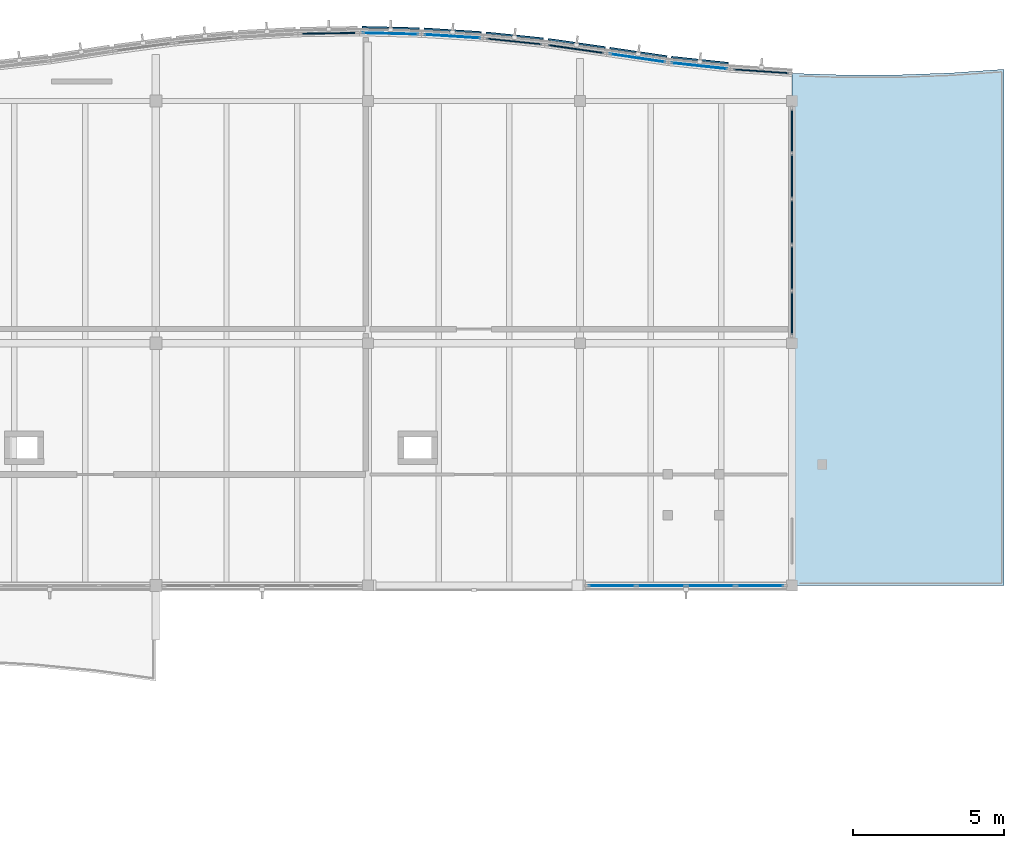
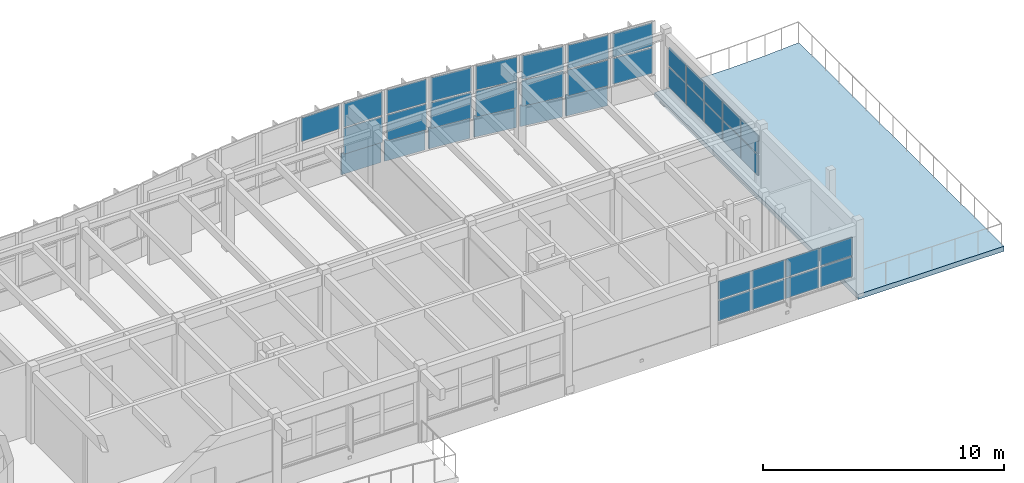
# One storey, part 36 of 63: 39 plates, 1 slab, 10 elements without a shape of their own.
"""IFC4 building model written with IfcOpenShell, lengths in metres."""

from ifc_helpers import new_model, si_unit, direction, frame, origin, origin_2d, place, context, subcontext, project, spatial, polyline, rectangle, outline, extrude, material, layer, layer_set, type_object, element, aggregate, save


model = new_model("IFC4")

# Units and contexts
model_context = context("Model", 3, precision=1e-05, world=origin(), true_north=direction((0.0, 1.0)))
body_context = subcontext(model_context, "Body", "Model", "MODEL_VIEW")
ifc_project = project(units=[si_unit("LENGTHUNIT", "METRE"), si_unit("AREAUNIT", "SQUARE_METRE"), si_unit("VOLUMEUNIT", "CUBIC_METRE"), si_unit("PLANEANGLEUNIT", "RADIAN"), si_unit("MASSUNIT", "GRAM", prefix="KILO")], contexts=[model_context])

# Site, building, storey
site_placement = place(None, origin())
site = spatial("IfcSite", under=ifc_project, at=site_placement, CompositionType="ELEMENT")
building_placement = place(site_placement, origin())
building = spatial("IfcBuilding", under=site, at=building_placement, Name="Tonlespit Floodbar School", CompositionType="ELEMENT")
storey_placement = place(building_placement, frame((0.0, 0.0, 8.39990234375)))
storey = spatial("IfcBuildingStorey", under=building, at=storey_placement, Name="L02", CompositionType="ELEMENT", Elevation=8.39990234375)

# Curtain wall, plates
ifc_material_1 = material(Name="Anodised Aluminium", Category="aluminium")
ifc_layer_1 = layer(ifc_material_1, 0.159912109375)
ifc_layer_set_1 = layer_set([ifc_layer_1], Name="Anodised Aluminium")
curtain_wall_type_1 = type_object("IfcCurtainWallType", Name="CurtainWall_1950x2700", PredefinedType="NOTDEFINED", material=ifc_layer_set_1)
curtain_wall_1_placement = place(storey_placement, origin())
curtain_wall_1 = element("IfcCurtainWall", 1, at=curtain_wall_1_placement, inside=storey, type_object=curtain_wall_type_1, Name="L02 unitised curtain wall 0433", PredefinedType="NOTDEFINED")
ifc_material_2 = material(Name="Laminated Low-E Glass", Category="glass")
ifc_layer_2 = layer(ifc_material_2, 0.028076171875)
ifc_layer_set_2 = layer_set([ifc_layer_2], Name="Laminated Low-E Glass")
plate_type_1 = type_object("IfcPlateType", Name="CW_Panel_Glaz_28", PredefinedType="CURTAIN_PANEL", material=ifc_layer_set_2)
plate_1_placement = place(storey_placement, frame((155.75, 122.224365234375, 1.01513671875), z_axis=(0.0, 0.0, 1.0), x_axis=(0.999712143947, -0.023992274692, 0.0)))
plate_1 = element("IfcPlate", 2, at=plate_1_placement, type_object=plate_type_1, Name="CW-04 panel 1.1", PredefinedType="CURTAIN_PANEL", context=body_context, shape_type="SweptSolid", body=[
    extrude(rectangle(XDim=1.828857421875, YDim=0.028076171875, at=origin_2d()), origin(), (0.0, 0.0, 1.0), 1.306396484375),
])
plate_2_placement = place(storey_placement, frame((155.75, 122.224365234375, 2.38671875), z_axis=(0.0, 0.0, 1.0), x_axis=(0.999712143947, -0.023992274692, 0.0)))
plate_2 = element("IfcPlate", 3, at=plate_2_placement, type_object=plate_type_1, Name="CW-04 panel 1.2", PredefinedType="CURTAIN_PANEL", context=body_context, shape_type="SweptSolid", body=[
    extrude(rectangle(XDim=1.828857421875, YDim=0.028076171875, at=origin_2d()), origin(), (0.0, 0.0, 1.0), 1.198486328125),
])
aggregate(curtain_wall_1, [plate_1, plate_2])

ifc_layer_3 = layer(ifc_material_1, 0.159912109375)
ifc_layer_set_3 = layer_set([ifc_layer_3], Name="Anodised Aluminium")
curtain_wall_type_2 = type_object("IfcCurtainWallType", Name="CurtainWall_2000x2700", PredefinedType="NOTDEFINED", material=ifc_layer_set_3)
curtain_wall_2_placement = place(storey_placement, origin())
curtain_wall_2 = element("IfcCurtainWall", 4, at=curtain_wall_2_placement, inside=storey, type_object=curtain_wall_type_2, Name="L02 unitised curtain wall 0437", PredefinedType="NOTDEFINED")
plate_3_placement = place(storey_placement, frame((163.90380859375, 121.418701171875, 1.01513671875), z_axis=(0.0, 0.0, 1.0), x_axis=(0.989281397529, -0.14602163026, 0.0)))
plate_3 = element("IfcPlate", 5, at=plate_3_placement, type_object=plate_type_1, Name="CW-65 panel 1.1", PredefinedType="CURTAIN_PANEL", context=body_context, shape_type="SweptSolid", body=[
    extrude(rectangle(XDim=1.8505859375, YDim=0.028076171875, at=origin_2d()), origin(), (0.0, 0.0, 1.0), 1.306396484375),
])
plate_4_placement = place(storey_placement, frame((163.90380859375, 121.418701171875, 2.38671875), z_axis=(0.0, 0.0, 1.0), x_axis=(0.989281397529, -0.14602163026, 0.0)))
plate_4 = element("IfcPlate", 6, at=plate_4_placement, type_object=plate_type_1, Name="CW-65 panel 1.2", PredefinedType="CURTAIN_PANEL", context=body_context, shape_type="SweptSolid", body=[
    extrude(rectangle(XDim=1.8505859375, YDim=0.028076171875, at=origin_2d()), origin(), (0.0, 0.0, 1.0), 1.198486328125),
])
aggregate(curtain_wall_2, [plate_3, plate_4])

ifc_layer_4 = layer(ifc_material_1, 0.159912109375)
ifc_layer_set_4 = layer_set([ifc_layer_4], Name="Anodised Aluminium")
curtain_wall_type_3 = type_object("IfcCurtainWallType", Name="CurtainWall_6550x2150", PredefinedType="NOTDEFINED", material=ifc_layer_set_4)
curtain_wall_3_placement = place(storey_placement, origin())
curtain_wall_3 = element("IfcCurtainWall", 7, at=curtain_wall_3_placement, inside=storey, type_object=curtain_wall_type_3, Name="L02 unitised curtain wall 0441", PredefinedType="NOTDEFINED")
plate_5_placement = place(storey_placement, frame((167.94384765625, 104.0, 1.01513671875), z_axis=(0.0, 0.0, 1.0), x_axis=(-1.0, 0.0, 0.0)))
plate_5 = element("IfcPlate", 8, at=plate_5_placement, type_object=plate_type_1, Name="CW-66 panel 1.1", PredefinedType="CURTAIN_PANEL", context=body_context, shape_type="SweptSolid", body=[
    extrude(rectangle(XDim=1.54248046875, YDim=0.028076171875, at=origin_2d()), origin(), (0.0, 0.0, 1.0), 1.014404296875),
])
plate_6_placement = place(storey_placement, frame((167.94384765625, 104.0, 2.094482421875), z_axis=(0.0, 0.0, 1.0), x_axis=(-1.0, 0.0, 0.0)))
plate_6 = element("IfcPlate", 9, at=plate_6_placement, type_object=plate_type_1, Name="CW-66 panel 1.2", PredefinedType="CURTAIN_PANEL", context=body_context, shape_type="SweptSolid", body=[
    extrude(rectangle(XDim=1.54248046875, YDim=0.028076171875, at=origin_2d()), origin(), (0.0, 0.0, 1.0), 0.9287109375),
])
plate_7_placement = place(storey_placement, frame((166.320068359375, 104.0, 1.01513671875), z_axis=(0.0, 0.0, 1.0), x_axis=(-1.0, 0.0, 0.0)))
plate_7 = element("IfcPlate", 10, at=plate_7_placement, type_object=plate_type_1, Name="CW-66 panel 2.1", PredefinedType="CURTAIN_PANEL", context=body_context, shape_type="SweptSolid", body=[
    extrude(rectangle(XDim=1.574951171875, YDim=0.028076171875, at=origin_2d()), origin(), (0.0, 0.0, 1.0), 1.014404296875),
])
plate_8_placement = place(storey_placement, frame((166.320068359375, 104.0, 2.094482421875), z_axis=(0.0, 0.0, 1.0), x_axis=(-1.0, 0.0, 0.0)))
plate_8 = element("IfcPlate", 11, at=plate_8_placement, type_object=plate_type_1, Name="CW-66 panel 2.2", PredefinedType="CURTAIN_PANEL", context=body_context, shape_type="SweptSolid", body=[
    extrude(rectangle(XDim=1.574951171875, YDim=0.028076171875, at=origin_2d()), origin(), (0.0, 0.0, 1.0), 0.9287109375),
])
plate_9_placement = place(storey_placement, frame((164.679931640625, 104.0, 1.01513671875), z_axis=(0.0, 0.0, 1.0), x_axis=(-1.0, 0.0, 0.0)))
plate_9 = element("IfcPlate", 12, at=plate_9_placement, type_object=plate_type_1, Name="CW-66 panel 3.1", PredefinedType="CURTAIN_PANEL", context=body_context, shape_type="SweptSolid", body=[
    extrude(rectangle(XDim=1.574951171875, YDim=0.028076171875, at=origin_2d()), origin(), (0.0, 0.0, 1.0), 1.014404296875),
])
plate_10_placement = place(storey_placement, frame((164.679931640625, 104.0, 2.094482421875), z_axis=(0.0, 0.0, 1.0), x_axis=(-1.0, 0.0, 0.0)))
plate_10 = element("IfcPlate", 13, at=plate_10_placement, type_object=plate_type_1, Name="CW-66 panel 3.2", PredefinedType="CURTAIN_PANEL", context=body_context, shape_type="SweptSolid", body=[
    extrude(rectangle(XDim=1.574951171875, YDim=0.028076171875, at=origin_2d()), origin(), (0.0, 0.0, 1.0), 0.9287109375),
])
plate_11_placement = place(storey_placement, frame((163.05615234375, 104.0, 1.01513671875), z_axis=(0.0, 0.0, 1.0), x_axis=(-1.0, 0.0, 0.0)))
plate_11 = element("IfcPlate", 14, at=plate_11_placement, type_object=plate_type_1, Name="CW-66 panel 4.1", PredefinedType="CURTAIN_PANEL", context=body_context, shape_type="SweptSolid", body=[
    extrude(rectangle(XDim=1.54248046875, YDim=0.028076171875, at=origin_2d()), origin(), (0.0, 0.0, 1.0), 1.014404296875),
])
plate_12_placement = place(storey_placement, frame((163.05615234375, 104.0, 2.094482421875), z_axis=(0.0, 0.0, 1.0), x_axis=(-1.0, 0.0, 0.0)))
plate_12 = element("IfcPlate", 15, at=plate_12_placement, type_object=plate_type_1, Name="CW-66 panel 4.2", PredefinedType="CURTAIN_PANEL", context=body_context, shape_type="SweptSolid", body=[
    extrude(rectangle(XDim=1.54248046875, YDim=0.028076171875, at=origin_2d()), origin(), (0.0, 0.0, 1.0), 0.9287109375),
])
aggregate(curtain_wall_3, [plate_5, plate_6, plate_7, plate_8, plate_9, plate_10, plate_11, plate_12])

curtain_wall_4_placement = place(storey_placement, origin())
curtain_wall_4 = element("IfcCurtainWall", 16, at=curtain_wall_4_placement, inside=storey, type_object=curtain_wall_type_1, Name="L02 unitised curtain wall 0434", PredefinedType="NOTDEFINED")
ifc_layer_5 = layer(ifc_material_2, 0.031982421875)
ifc_layer_set_5 = layer_set([ifc_layer_5], Name="Laminated Low-E Glass")
plate_type_2 = type_object("IfcPlateType", Name="CW_Panel_Glaz_32", PredefinedType="CURTAIN_PANEL", material=ifc_layer_set_5)
plate_13_placement = place(storey_placement, frame((157.788330078125, 122.13525390625, 1.01513671875), z_axis=(0.0, 0.0, 1.0), x_axis=(0.997995665907, -0.063282310575, 0.0)))
plate_13 = element("IfcPlate", 17, at=plate_13_placement, type_object=plate_type_2, Name="CW-04 panel 1.1", PredefinedType="CURTAIN_PANEL", context=body_context, shape_type="SweptSolid", body=[
    extrude(rectangle(XDim=1.83251953125, YDim=0.031982421875, at=origin_2d()), origin(), (0.0, 0.0, 1.0), 1.306396484375),
])
plate_14_placement = place(storey_placement, frame((157.788330078125, 122.13525390625, 2.38671875), z_axis=(0.0, 0.0, 1.0), x_axis=(0.997995665907, -0.063282310575, 0.0)))
plate_14 = element("IfcPlate", 18, at=plate_14_placement, type_object=plate_type_2, Name="CW-04 panel 1.2", PredefinedType="CURTAIN_PANEL", context=body_context, shape_type="SweptSolid", body=[
    extrude(rectangle(XDim=1.83251953125, YDim=0.031982421875, at=origin_2d()), origin(), (0.0, 0.0, 1.0), 1.198486328125),
])
aggregate(curtain_wall_4, [plate_13, plate_14])

curtain_wall_5_placement = place(storey_placement, origin())
curtain_wall_5 = element("IfcCurtainWall", 19, at=curtain_wall_5_placement, inside=storey, type_object=curtain_wall_type_1, Name="L02 unitised curtain wall 0438", PredefinedType="NOTDEFINED")
plate_15_placement = place(storey_placement, frame((165.9423828125, 121.15869140625, 1.01513671875), z_axis=(0.0, 0.0, 1.0), x_axis=(0.994269913193, -0.106898735815, 0.0)))
plate_15 = element("IfcPlate", 20, at=plate_15_placement, type_object=plate_type_2, Name="CW-04 panel 1.1", PredefinedType="CURTAIN_PANEL", context=body_context, shape_type="SweptSolid", body=[
    extrude(rectangle(XDim=1.840087890625, YDim=0.031982421875, at=origin_2d()), origin(), (0.0, 0.0, 1.0), 1.306396484375),
])
plate_16_placement = place(storey_placement, frame((165.9423828125, 121.15869140625, 2.38671875), z_axis=(0.0, 0.0, 1.0), x_axis=(0.994269913193, -0.106898735815, 0.0)))
plate_16 = element("IfcPlate", 21, at=plate_16_placement, type_object=plate_type_2, Name="CW-04 panel 1.2", PredefinedType="CURTAIN_PANEL", context=body_context, shape_type="SweptSolid", body=[
    extrude(rectangle(XDim=1.840087890625, YDim=0.031982421875, at=origin_2d()), origin(), (0.0, 0.0, 1.0), 1.198486328125),
])
aggregate(curtain_wall_5, [plate_15, plate_16])

curtain_wall_6_placement = place(storey_placement, origin())
curtain_wall_6 = element("IfcCurtainWall", 22, at=curtain_wall_6_placement, inside=storey, type_object=curtain_wall_type_1, Name="L02 unitised curtain wall 0435", PredefinedType="NOTDEFINED")
ifc_layer_6 = layer(ifc_material_2, 0.035888671875)
ifc_layer_set_6 = layer_set([ifc_layer_6], Name="Laminated Low-E Glass")
plate_type_3 = type_object("IfcPlateType", Name="CW_Panel_Glaz_36", PredefinedType="CURTAIN_PANEL", material=ifc_layer_set_6)
plate_17_placement = place(storey_placement, frame((159.826904296875, 121.9658203125, 1.01513671875), z_axis=(0.0, 0.0, 1.0), x_axis=(0.994735613299, -0.102474678015, 0.0)))
plate_17 = element("IfcPlate", 23, at=plate_17_placement, type_object=plate_type_3, Name="CW-04 panel 1.1", PredefinedType="CURTAIN_PANEL", context=body_context, shape_type="SweptSolid", body=[
    extrude(rectangle(XDim=1.83935546875, YDim=0.035888671875, at=origin_2d()), origin(), (0.0, 0.0, 1.0), 1.306396484375),
])
plate_18_placement = place(storey_placement, frame((159.826904296875, 121.9658203125, 2.38671875), z_axis=(0.0, 0.0, 1.0), x_axis=(0.994735613299, -0.102474678015, 0.0)))
plate_18 = element("IfcPlate", 24, at=plate_18_placement, type_object=plate_type_3, Name="CW-04 panel 1.2", PredefinedType="CURTAIN_PANEL", context=body_context, shape_type="SweptSolid", body=[
    extrude(rectangle(XDim=1.83935546875, YDim=0.035888671875, at=origin_2d()), origin(), (0.0, 0.0, 1.0), 1.198486328125),
])
aggregate(curtain_wall_6, [plate_17, plate_18])

curtain_wall_7_placement = place(storey_placement, origin())
curtain_wall_7 = element("IfcCurtainWall", 25, at=curtain_wall_7_placement, inside=storey, type_object=curtain_wall_type_1, Name="L02 unitised curtain wall 0439", PredefinedType="NOTDEFINED")
plate_19_placement = place(storey_placement, frame((167.980712890625, 120.979736328125, 1.01513671875), z_axis=(0.0, 0.0, 1.0), x_axis=(0.997706030027, -0.067695477306, 0.0)))
plate_19 = element("IfcPlate", 26, at=plate_19_placement, type_object=plate_type_3, Name="CW-04 panel 1.1", PredefinedType="CURTAIN_PANEL", context=body_context, shape_type="SweptSolid", body=[
    extrude(rectangle(XDim=1.833251953125, YDim=0.035888671875, at=origin_2d()), origin(), (0.0, 0.0, 1.0), 1.306396484375),
])
plate_20_placement = place(storey_placement, frame((167.980712890625, 120.979736328125, 2.38671875), z_axis=(0.0, 0.0, 1.0), x_axis=(0.997706030027, -0.067695477306, 0.0)))
plate_20 = element("IfcPlate", 27, at=plate_20_placement, type_object=plate_type_3, Name="CW-04 panel 1.2", PredefinedType="CURTAIN_PANEL", context=body_context, shape_type="SweptSolid", body=[
    extrude(rectangle(XDim=1.833251953125, YDim=0.035888671875, at=origin_2d()), origin(), (0.0, 0.0, 1.0), 1.198486328125),
])
aggregate(curtain_wall_7, [plate_19, plate_20])

# Curtain wall, plate
curtain_wall_8_placement = place(storey_placement, origin())
curtain_wall_8 = element("IfcCurtainWall", 28, at=curtain_wall_8_placement, inside=storey, type_object=curtain_wall_type_1, Name="L02 unitised curtain wall 0432", PredefinedType="NOTDEFINED")
ifc_layer_7 = layer(ifc_material_2, 0.0419921875)
ifc_layer_set_7 = layer_set([ifc_layer_7], Name="Laminated Low-E Glass")
plate_type_4 = type_object("IfcPlateType", Name="CW_Panel_Glaz_42", PredefinedType="CURTAIN_PANEL", material=ifc_layer_set_7)
plate_21_placement = place(storey_placement, frame((153.711669921875, 122.2333984375, 2.38671875), z_axis=(0.0, 0.0, 1.0), x_axis=(0.999885036268, 0.015162923455, 0.0)))
plate_21 = element("IfcPlate", 29, at=plate_21_placement, type_object=plate_type_4, Name="CW-04 panel 1.2", PredefinedType="CURTAIN_PANEL", context=body_context, shape_type="SweptSolid", body=[
    extrude(rectangle(XDim=1.82861328125, YDim=0.0419921875, at=origin_2d()), origin(), (0.0, 0.0, 1.0), 1.198486328125),
])
aggregate(curtain_wall_8, [plate_21])

# Curtain wall, plates
curtain_wall_9_placement = place(storey_placement, origin())
curtain_wall_9 = element("IfcCurtainWall", 30, at=curtain_wall_9_placement, inside=storey, type_object=curtain_wall_type_2, Name="L02 unitised curtain wall 0436", PredefinedType="NOTDEFINED")
plate_22_placement = place(storey_placement, frame((161.865478515625, 121.71484375, 1.01513671875), z_axis=(0.0, 0.0, 1.0), x_axis=(0.98992016689, -0.141626491819, 0.0)))
plate_22 = element("IfcPlate", 31, at=plate_22_placement, type_object=plate_type_4, Name="CW-65 panel 1.1", PredefinedType="CURTAIN_PANEL", context=body_context, shape_type="SweptSolid", body=[
    extrude(rectangle(XDim=1.84912109375, YDim=0.0419921875, at=origin_2d()), origin(), (0.0, 0.0, 1.0), 1.306396484375),
])
plate_23_placement = place(storey_placement, frame((161.865478515625, 121.71484375, 2.38671875), z_axis=(0.0, 0.0, 1.0), x_axis=(0.98992016689, -0.141626491819, 0.0)))
plate_23 = element("IfcPlate", 32, at=plate_23_placement, type_object=plate_type_4, Name="CW-65 panel 1.2", PredefinedType="CURTAIN_PANEL", context=body_context, shape_type="SweptSolid", body=[
    extrude(rectangle(XDim=1.84912109375, YDim=0.0419921875, at=origin_2d()), origin(), (0.0, 0.0, 1.0), 1.198486328125),
])
aggregate(curtain_wall_9, [plate_22, plate_23])

ifc_layer_8 = layer(ifc_material_1, 0.159912109375)
ifc_layer_set_8 = layer_set([ifc_layer_8], Name="Anodised Aluminium")
curtain_wall_type_4 = type_object("IfcCurtainWallType", Name="CurtainWall_7550x2150", PredefinedType="NOTDEFINED", material=ifc_layer_set_8)
curtain_wall_10_placement = place(storey_placement, origin())
curtain_wall_10 = element("IfcCurtainWall", 33, at=curtain_wall_10_placement, inside=storey, type_object=curtain_wall_type_4, Name="L02 unitised curtain wall 0440", PredefinedType="NOTDEFINED")
plate_24_placement = place(storey_placement, frame((169.0, 119.0078125, 1.01513671875), z_axis=(0.0, 0.0, 1.0), x_axis=(0.0, -1.0, 0.0)))
plate_24 = element("IfcPlate", 34, at=plate_24_placement, type_object=plate_type_4, Name="CW-37 panel 1.1", PredefinedType="CURTAIN_PANEL", context=body_context, shape_type="SweptSolid", body=[
    extrude(rectangle(XDim=1.41455078125, YDim=0.0419921875, at=origin_2d()), origin(), (0.0, 0.0, 1.0), 1.014404296875),
])
plate_25_placement = place(storey_placement, frame((169.0, 119.0078125, 2.094482421875), z_axis=(0.0, 0.0, 1.0), x_axis=(0.0, -1.0, 0.0)))
plate_25 = element("IfcPlate", 35, at=plate_25_placement, type_object=plate_type_4, Name="CW-37 panel 1.2", PredefinedType="CURTAIN_PANEL", context=body_context, shape_type="SweptSolid", body=[
    extrude(rectangle(XDim=1.41455078125, YDim=0.0419921875, at=origin_2d()), origin(), (0.0, 0.0, 1.0), 0.9287109375),
])
plate_26_placement = place(storey_placement, frame((169.0, 117.511962890625, 1.01513671875), z_axis=(0.0, 0.0, 1.0), x_axis=(0.0, -1.0, 0.0)))
plate_26 = element("IfcPlate", 36, at=plate_26_placement, type_object=plate_type_4, Name="CW-37 panel 2.1", PredefinedType="CURTAIN_PANEL", context=body_context, shape_type="SweptSolid", body=[
    extrude(rectangle(XDim=1.447021484375, YDim=0.0419921875, at=origin_2d()), origin(), (0.0, 0.0, 1.0), 1.014404296875),
])
plate_27_placement = place(storey_placement, frame((169.0, 117.511962890625, 2.094482421875), z_axis=(0.0, 0.0, 1.0), x_axis=(0.0, -1.0, 0.0)))
plate_27 = element("IfcPlate", 37, at=plate_27_placement, type_object=plate_type_4, Name="CW-37 panel 2.2", PredefinedType="CURTAIN_PANEL", context=body_context, shape_type="SweptSolid", body=[
    extrude(rectangle(XDim=1.447021484375, YDim=0.0419921875, at=origin_2d()), origin(), (0.0, 0.0, 1.0), 0.9287109375),
])
plate_28_placement = place(storey_placement, frame((169.0, 116.0, 1.01513671875), z_axis=(0.0, 0.0, 1.0), x_axis=(0.0, -1.0, 0.0)))
plate_28 = element("IfcPlate", 38, at=plate_28_placement, type_object=plate_type_4, Name="CW-37 panel 3.1", PredefinedType="CURTAIN_PANEL", context=body_context, shape_type="SweptSolid", body=[
    extrude(rectangle(XDim=1.447021484375, YDim=0.0419921875, at=origin_2d()), origin(), (0.0, 0.0, 1.0), 1.014404296875),
])
plate_29_placement = place(storey_placement, frame((169.0, 116.0, 2.094482421875), z_axis=(0.0, 0.0, 1.0), x_axis=(0.0, -1.0, 0.0)))
plate_29 = element("IfcPlate", 39, at=plate_29_placement, type_object=plate_type_4, Name="CW-37 panel 3.2", PredefinedType="CURTAIN_PANEL", context=body_context, shape_type="SweptSolid", body=[
    extrude(rectangle(XDim=1.447021484375, YDim=0.0419921875, at=origin_2d()), origin(), (0.0, 0.0, 1.0), 0.9287109375),
])
plate_30_placement = place(storey_placement, frame((169.0, 114.488037109375, 1.01513671875), z_axis=(0.0, 0.0, 1.0), x_axis=(0.0, -1.0, 0.0)))
plate_30 = element("IfcPlate", 40, at=plate_30_placement, type_object=plate_type_4, Name="CW-37 panel 4.1", PredefinedType="CURTAIN_PANEL", context=body_context, shape_type="SweptSolid", body=[
    extrude(rectangle(XDim=1.447021484375, YDim=0.0419921875, at=origin_2d()), origin(), (0.0, 0.0, 1.0), 1.014404296875),
])
plate_31_placement = place(storey_placement, frame((169.0, 114.488037109375, 2.094482421875), z_axis=(0.0, 0.0, 1.0), x_axis=(0.0, -1.0, 0.0)))
plate_31 = element("IfcPlate", 41, at=plate_31_placement, type_object=plate_type_4, Name="CW-37 panel 4.2", PredefinedType="CURTAIN_PANEL", context=body_context, shape_type="SweptSolid", body=[
    extrude(rectangle(XDim=1.447021484375, YDim=0.0419921875, at=origin_2d()), origin(), (0.0, 0.0, 1.0), 0.9287109375),
])
plate_32_placement = place(storey_placement, frame((169.0, 112.9921875, 1.01513671875), z_axis=(0.0, 0.0, 1.0), x_axis=(0.0, -1.0, 0.0)))
plate_32 = element("IfcPlate", 42, at=plate_32_placement, type_object=plate_type_4, Name="CW-37 panel 5.1", PredefinedType="CURTAIN_PANEL", context=body_context, shape_type="SweptSolid", body=[
    extrude(rectangle(XDim=1.41455078125, YDim=0.0419921875, at=origin_2d()), origin(), (0.0, 0.0, 1.0), 1.014404296875),
])
plate_33_placement = place(storey_placement, frame((169.0, 112.9921875, 2.094482421875), z_axis=(0.0, 0.0, 1.0), x_axis=(0.0, -1.0, 0.0)))
plate_33 = element("IfcPlate", 43, at=plate_33_placement, type_object=plate_type_4, Name="CW-37 panel 5.2", PredefinedType="CURTAIN_PANEL", context=body_context, shape_type="SweptSolid", body=[
    extrude(rectangle(XDim=1.41455078125, YDim=0.0419921875, at=origin_2d()), origin(), (0.0, 0.0, 1.0), 0.9287109375),
])
aggregate(curtain_wall_10, [plate_24, plate_25, plate_26, plate_27, plate_28, plate_29, plate_30, plate_31, plate_32, plate_33])

# Plates
ifc_material_3 = material(Name="White Architectural Aluminium", Category="aluminium")
ifc_layer_9 = layer(ifc_material_3, 0.06494140625)
ifc_layer_set_9 = layer_set([ifc_layer_9], Name="White Architectural Aluminium")
plate_type_5 = type_object("IfcPlateType", Name="FacadeRibbon_White_65", PredefinedType="SHEET", material=ifc_layer_set_9)
plate_34_placement = place(storey_placement, frame((155.75439453125, 122.40625, -0.1201171875), z_axis=(0.0, 0.0, 1.0), x_axis=(0.999711216939, -0.024030870297, 0.0)))
element("IfcPlate", 44, at=plate_34_placement, inside=storey, type_object=plate_type_5, Name="L02 flowing white street spandrel ribbon 0683", PredefinedType="SHEET", context=body_context, shape_type="SweptSolid", body=[
    extrude(rectangle(XDim=1.87890625, YDim=0.06494140625, at=origin_2d()), origin(), (0.0, 0.0, 1.0), 1.070068359375),
])
plate_35_placement = place(storey_placement, frame((157.800048828125, 122.31689453125, -0.1201171875), z_axis=(0.0, 0.0, 1.0), x_axis=(0.9979974699, -0.063253854221, 0.0)))
element("IfcPlate", 45, at=plate_35_placement, inside=storey, type_object=plate_type_5, Name="L02 flowing white street spandrel ribbon 0684", PredefinedType="SHEET", context=body_context, shape_type="SweptSolid", body=[
    extrude(rectangle(XDim=1.882568359375, YDim=0.06494140625, at=origin_2d()), origin(), (0.0, 0.0, 1.0), 1.070068359375),
])
plate_36_placement = place(storey_placement, frame((159.845703125, 122.146728515625, -0.1201171875), z_axis=(0.0, 0.0, 1.0), x_axis=(0.994735597828, -0.102474828191, 0.0)))
element("IfcPlate", 46, at=plate_36_placement, inside=storey, type_object=plate_type_5, Name="L02 flowing white street spandrel ribbon 0685", PredefinedType="SHEET", context=body_context, shape_type="SweptSolid", body=[
    extrude(rectangle(XDim=1.889404296875, YDim=0.06494140625, at=origin_2d()), origin(), (0.0, 0.0, 1.0), 1.070068359375),
])
plate_37_placement = place(storey_placement, frame((161.89111328125, 121.89501953125, -0.1201171875), z_axis=(0.0, 0.0, 1.0), x_axis=(0.989915408665, -0.141659746177, 0.0)))
element("IfcPlate", 47, at=plate_37_placement, inside=storey, type_object=plate_type_5, Name="L02 flowing white street spandrel ribbon 0686", PredefinedType="SHEET", context=body_context, shape_type="SweptSolid", body=[
    extrude(rectangle(XDim=1.899169921875, YDim=0.06494140625, at=origin_2d()), origin(), (0.0, 0.0, 1.0), 1.070068359375),
])
plate_38_placement = place(storey_placement, frame((163.930419921875, 121.5986328125, -0.1201171875), z_axis=(0.0, 0.0, 1.0), x_axis=(0.989287625318, -0.145979431405, 0.0)))
element("IfcPlate", 48, at=plate_38_placement, inside=storey, type_object=plate_type_5, Name="L02 flowing white street spandrel ribbon 0687", PredefinedType="SHEET", context=body_context, shape_type="SweptSolid", body=[
    extrude(rectangle(XDim=1.900634765625, YDim=0.06494140625, at=origin_2d()), origin(), (0.0, 0.0, 1.0), 1.070068359375),
])
plate_39_placement = place(storey_placement, frame((165.9619140625, 121.339599609375, -0.1201171875), z_axis=(0.0, 0.0, 1.0), x_axis=(0.994267808285, -0.106918311842, 0.0)))
element("IfcPlate", 49, at=plate_39_placement, inside=storey, type_object=plate_type_5, Name="L02 flowing white street spandrel ribbon 0688", PredefinedType="SHEET", context=body_context, shape_type="SweptSolid", body=[
    extrude(rectangle(XDim=1.89013671875, YDim=0.06494140625, at=origin_2d()), origin(), (0.0, 0.0, 1.0), 1.070068359375),
])

# Slab
ifc_material_4 = material(Name="CLT C24", Category="wood")
ifc_layer_10 = layer(ifc_material_4, 0.251953125)
ifc_layer_set_10 = layer_set([ifc_layer_10], Name="CLT C24")
slab_type = type_object("IfcSlabType", Name="Slab_Terrace_CLT_210", PredefinedType="FLOOR", material=ifc_layer_set_10)
slab_placement = place(storey_placement, frame((0.0, 0.0, -0.251953125)))
element("IfcSlab", 50, at=slab_placement, inside=storey, type_object=slab_type, Name="L02 V4 L02 east step terrace", PredefinedType="FLOOR", context=body_context, shape_type="SweptSolid", body=[
    extrude(outline(polyline([(169.0, 104.0), (176.0, 104.0), (176.0, 121.045654296875), (174.25, 120.92333984375), (172.5, 120.860107421875), (170.75, 120.85595703125), (169.0, 120.91064453125), (169.0, 104.0)])), origin(), (0.0, 0.0, 1.0), 0.251953125),
])

save(model, "model.ifc")
